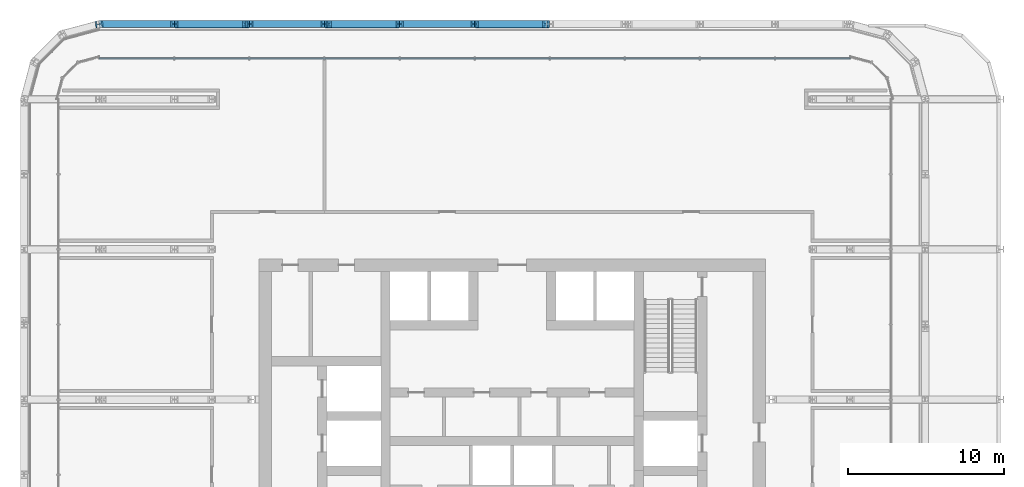
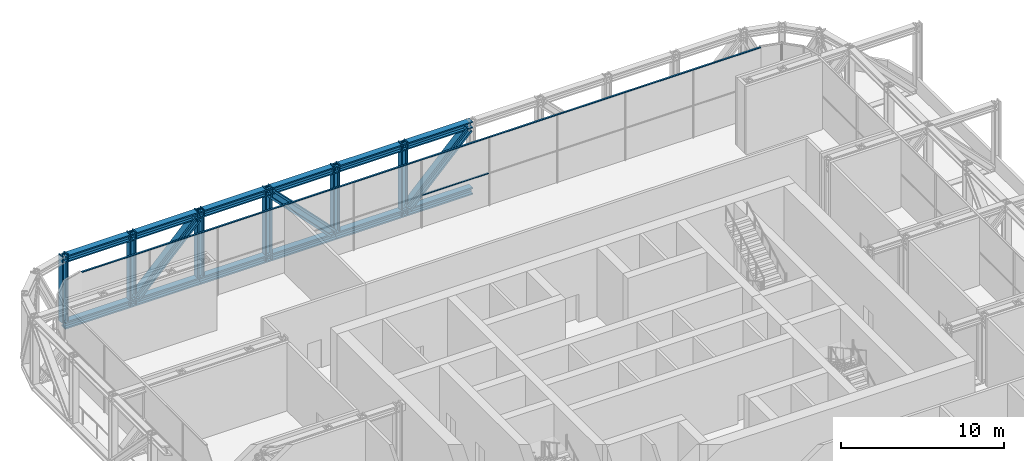
# One storey, part 12 of 25: 23 members, 1 element without a shape of its own.
"""IFC4 building model written with IfcOpenShell, lengths in metres."""

import ifcopenshell
import ifcopenshell.guid

model = None  # the IFC model being written
_history = None  # IfcOwnerHistory: only IFC2X3 demands one
_inside = {}  # id of a spatial element -> (the spatial element, [elements in it])
_under = {}  # id of a project, library or spatial element -> (it, [spatial elements below it])
_declared = {}  # id of a project -> (the project, [libraries it declares])
_typed = {}  # id of a type object -> (the type object, [elements of that type])
_made_of = {}  # id of a material, layer set ... -> (it, [elements and type objects made of it])


def new_model(schema):
    """Start an empty IFC model of exactly this schema.

    Asked for "IFC4X3", IfcOpenShell would pick the latest addendum, in which some entities
    have other attributes; the version numbers below select the first issue.
    IFC2X3 requires an IfcOwnerHistory on every rooted entity: one is made here for all.
    """
    global model, _history
    if schema == "IFC4X3":
        model = ifcopenshell.file(schema_version=(4, 3, 0, 0))
    else:
        model = ifcopenshell.file(schema=schema)
    _inside.clear()
    _under.clear()
    _declared.clear()
    _typed.clear()
    _made_of.clear()
    _history = None
    if model.schema == "IFC2X3":
        org = make("IfcOrganization", Name="unknown")
        user = make(
            "IfcPersonAndOrganization",
            ThePerson=make("IfcPerson", FamilyName="unknown"),
            TheOrganization=org,
        )
        app = make(
            "IfcApplication",
            ApplicationDeveloper=org,
            Version="unknown",
            ApplicationFullName="unknown",
            ApplicationIdentifier="unknown",
        )
        _history = make(
            "IfcOwnerHistory",
            OwningUser=user,
            OwningApplication=app,
            ChangeAction="ADDED",
            CreationDate=0,
        )
    return model


def make(cls, **values):
    """One entity of the class cls with the attributes given. An attribute that is None is left unset."""
    return model.create_entity(
        cls, **{name: value for name, value in values.items() if value is not None}
    )


def rooted(cls, **values):
    """An entity with a GlobalId (a new one), such as an element, a storey or a relation."""
    return make(cls, GlobalId=ifcopenshell.guid.new(), OwnerHistory=_history, **values)


def si_unit(unit_type, name, prefix=None):
    """IfcSIUnit, for example si_unit("LENGTHUNIT", "METRE", prefix="MILLI")."""
    return make("IfcSIUnit", UnitType=unit_type, Prefix=prefix, Name=name)


def assignment(units):
    """IfcUnitAssignment: the units of a project."""
    return None if units is None else make("IfcUnitAssignment", Units=units)


def point(xyz):
    """IfcCartesianPoint."""
    return None if xyz is None else make("IfcCartesianPoint", Coordinates=xyz)


def direction(xyz):
    """IfcDirection."""
    return None if xyz is None else make("IfcDirection", DirectionRatios=xyz)


def frame(location, z_axis=None, x_axis=None):
    """IfcAxis2Placement3D, a coordinate frame: its origin and axes. An axis left out is left unset."""
    return make(
        "IfcAxis2Placement3D",
        Location=point(location),
        Axis=direction(z_axis),
        RefDirection=direction(x_axis),
    )


def frame_2d(location, x_axis=None):
    """IfcAxis2Placement2D, a coordinate frame in the plane: its origin and x axis."""
    return make(
        "IfcAxis2Placement2D", Location=point(location), RefDirection=direction(x_axis)
    )


def origin():
    """The frame at (0, 0, 0) with its axes left unset."""
    return frame((0.0, 0.0, 0.0))


def origin_2d():
    """The frame at (0, 0) in the plane with its x axis left unset."""
    return frame_2d((0.0, 0.0))


def place(relative_to, where):
    """IfcLocalPlacement: puts the frame where relative to a parent placement (None: the world)."""
    return make(
        "IfcLocalPlacement", PlacementRelTo=relative_to, RelativePlacement=where
    )


def context(
    kind, dimensions, precision=None, world=None, true_north=None, identifier=None
):
    """IfcGeometricRepresentationContext, for example the 3D "Model" context."""
    return make(
        "IfcGeometricRepresentationContext",
        ContextIdentifier=identifier,
        ContextType=kind,
        CoordinateSpaceDimension=dimensions,
        Precision=precision,
        WorldCoordinateSystem=world,
        TrueNorth=true_north,
    )


def subcontext(parent, identifier, kind, view, scale=None):
    """IfcGeometricRepresentationSubContext, for example "Body" below "Model"."""
    return make(
        "IfcGeometricRepresentationSubContext",
        ContextIdentifier=identifier,
        ContextType=kind,
        ParentContext=parent,
        TargetScale=scale,
        TargetView=view,
    )


def project(units=None, contexts=None):
    """IfcProject with its units and contexts."""
    return rooted(
        "IfcProject",
        Name="project",
        RepresentationContexts=contexts,
        UnitsInContext=assignment(units),
    )


def spatial(cls, under=None, at=None, **own):
    """A site, building, storey or space (cls), placed at a placement, below another one or the project."""
    s = rooted(cls, ObjectPlacement=at, **own)
    if under is not None:
        _under.setdefault(under.id(), (under, []))[1].append(s)
    return s


def profile(cls, at=None, kind="AREA", **sizes):
    """A parametric profile (cls). Its sizes go by their IFC names, for example OverallWidth=200.0."""
    return make(cls, ProfileType=kind, Position=at, **sizes)


def rectangle(**sizes):
    """IfcRectangleProfileDef."""
    return profile("IfcRectangleProfileDef", **sizes)


def i_section(**sizes):
    """IfcIShapeProfileDef."""
    return profile("IfcIShapeProfileDef", **sizes)


def extrude(swept, where, along, depth):
    """IfcExtrudedAreaSolid: the profile swept, set in the frame where, extruded along a direction by depth."""
    return make(
        "IfcExtrudedAreaSolid",
        SweptArea=swept,
        Position=where,
        ExtrudedDirection=direction(along),
        Depth=depth,
    )


def shape(context_of_items, identifier, shape_type, items):
    """IfcShapeRepresentation: the items that make up one representation, for example the "Body"."""
    return make(
        "IfcShapeRepresentation",
        ContextOfItems=context_of_items,
        RepresentationIdentifier=identifier,
        RepresentationType=shape_type,
        Items=items,
    )


def material(Name=None, Category=None):
    """IfcMaterial."""
    return make("IfcMaterial", Name=Name, Category=Category)


def layer(
    of_material, thickness, ventilated=None, Name=None, Category=None, Priority=None
):
    """IfcMaterialLayer: one layer of a wall or slab, of a material (None: an air gap)."""
    return make(
        "IfcMaterialLayer",
        Material=of_material,
        LayerThickness=thickness,
        IsVentilated=ventilated,
        Name=Name,
        Category=Category,
        Priority=Priority,
    )


def layer_set(layers, Name=None):
    """IfcMaterialLayerSet."""
    return make("IfcMaterialLayerSet", MaterialLayers=layers, LayerSetName=Name)


def material_profile(
    of_material, cross_section, Name=None, Category=None, Priority=None
):
    """IfcMaterialProfile: a cross section and its material."""
    return make(
        "IfcMaterialProfile",
        Name=Name,
        Material=of_material,
        Profile=cross_section,
        Priority=Priority,
        Category=Category,
    )


def profile_set(profiles, Name=None, composite=None):
    """IfcMaterialProfileSet."""
    return make(
        "IfcMaterialProfileSet",
        Name=Name,
        MaterialProfiles=profiles,
        CompositeProfile=composite,
    )


def made_of(thing, what):
    """Note that an element or type object is made of a material, layer set ...; save() writes the relation."""
    if what is not None:
        _made_of.setdefault(what.id(), (what, []))[1].append(thing)
    return thing


def type_object(cls, material=None, **own):
    """A type object (cls), such as IfcWallType, which elements share."""
    return made_of(rooted(cls, **own), material)


def element(
    cls,
    number,
    at=None,
    inside=None,
    cuts=None,
    type_object=None,
    material=None,
    context=None,
    identifier="Body",
    shape_type=None,
    held_by="IfcProductDefinitionShape",
    body=None,
    shapes=None,
    **own,
):
    """One element of the class cls, such as IfcWall. Its Tag is "e" and its number.

    at: its placement. inside: the storey or other place that contains it. cuts: it is an
    opening in that element (IfcRelVoidsElement). A single representation is given by context,
    identifier, shape_type and body (its items); several are given by shapes. held_by: the class
    of the entity that holds the representations. save() writes the other relations.
    """
    e = rooted(cls, Tag="e%d" % number, ObjectPlacement=at, **own)
    if body is not None:
        shapes = [shape(context, identifier, shape_type, body)]
    if shapes is not None:
        e.Representation = make(held_by, Representations=shapes)
    if inside is not None:
        _inside.setdefault(inside.id(), (inside, []))[1].append(e)
    if cuts is not None:
        rooted(
            "IfcRelVoidsElement", RelatingBuildingElement=cuts, RelatedOpeningElement=e
        )
    if type_object is not None:
        _typed.setdefault(type_object.id(), (type_object, []))[1].append(e)
    return made_of(e, material)


def aggregate(whole, parts):
    """IfcRelAggregates: a whole, such as a stair, and the parts it consists of."""
    return rooted("IfcRelAggregates", RelatingObject=whole, RelatedObjects=parts)


def save(model, path):
    """Write the relations noted so far, then the file.

    IfcRelAggregates (storeys below a building ...), IfcRelContainedInSpatialStructure (elements
    in a storey), IfcRelDefinesByType, IfcRelAssociatesMaterial and IfcRelDeclares: one each for
    every whole, place, type object, material and project.
    """
    for whole, parts in _under.values():
        aggregate(whole, parts)
    for where, things in _inside.values():
        rooted(
            "IfcRelContainedInSpatialStructure",
            RelatedElements=things,
            RelatingStructure=where,
        )
    for kind, things in _typed.values():
        rooted("IfcRelDefinesByType", RelatedObjects=things, RelatingType=kind)
    for what, things in _made_of.values():
        rooted("IfcRelAssociatesMaterial", RelatedObjects=things, RelatingMaterial=what)
    for by, libraries in _declared.values():
        rooted("IfcRelDeclares", RelatingContext=by, RelatedDefinitions=libraries)
    model.write(path)


model = new_model("IFC4")

# Units and contexts
model_context = context("Model", 3, precision=1e-05, world=origin(), true_north=direction((0.0, 1.0)))
body_context = subcontext(model_context, "Body", "Model", "MODEL_VIEW")
ifc_project = project(units=[si_unit("LENGTHUNIT", "METRE"), si_unit("AREAUNIT", "SQUARE_METRE"), si_unit("VOLUMEUNIT", "CUBIC_METRE"), si_unit("PLANEANGLEUNIT", "RADIAN"), si_unit("MASSUNIT", "GRAM", prefix="KILO")], contexts=[model_context])

# Site, building, storey
site_placement = place(None, origin())
site = spatial("IfcSite", under=ifc_project, at=site_placement, CompositionType="ELEMENT")
building_placement = place(site_placement, origin())
building = spatial("IfcBuilding", under=site, at=building_placement, Name="Madar Terraces", CompositionType="ELEMENT")
storey_placement = place(building_placement, frame((0.0, 0.0, 113.699951171875)))
storey = spatial("IfcBuildingStorey", under=building, at=storey_placement, Name="L29", CompositionType="ELEMENT", Elevation=113.699951171875)

# Members
ifc_material_1 = material(Name="Steel ASTM A913 Grade 65", Category="steel")
ifc_material_profile_1 = material_profile(ifc_material_1, i_section(OverallWidth=0.44189453125, OverallDepth=0.53076171875, WebThickness=0.06591796875, FlangeThickness=0.105712890625, at=origin_2d()), Name="W14x605")
ifc_profile_set_1 = profile_set([ifc_material_profile_1], Name="Steel ASTM A913 Grade 65")
member_type_1 = type_object("IfcMemberType", Name="BC4 W14x605", PredefinedType="CHORD", material=ifc_profile_set_1)
for number, where, z_axis, x_axis, name in (
    (1, (33.60009765625, 52.800048828125, -0.154541015625), (-1.0, 0.0, 0.0), (0.0, -1.0, 0.0), "Exoskeleton truss ring bottom chord BC4"),
    (2, (28.800048828125, 52.800048828125, -0.154541015625), (-1.0, 0.0, 0.0), (0.0, -1.0, 0.0), "Exoskeleton truss ring bottom chord BC4"),
    (3, (24.0, 52.800048828125, -0.154541015625), (-1.0, 0.0, 0.0), (0.0, -1.0, 0.0), "Exoskeleton truss ring bottom chord BC4"),
    (4, (19.199951171875, 52.800048828125, -0.154541015625), (-1.0, 0.0, 0.0), (0.0, -1.0, 0.0), "Exoskeleton truss ring bottom chord BC4"),
):
    element("IfcMember", number, at=place(storey_placement, frame(where, z_axis=z_axis, x_axis=x_axis)), inside=storey, type_object=member_type_1, Name=name, PredefinedType="CHORD", context=body_context, shape_type="SweptSolid", body=[
        extrude(i_section(OverallWidth=0.44189453125, OverallDepth=0.53076171875, WebThickness=0.06591796875, FlangeThickness=0.105712890625, at=origin_2d()), origin(), (0.0, 0.0, 1.0), 4.800048828125),
    ])
member_1_placement = place(storey_placement, frame((14.39990234375, 52.800048828125, -0.154541015625), z_axis=(-1.0, 0.0, 0.0), x_axis=(0.0, -1.0, 0.0)))
element("IfcMember", 5, at=member_1_placement, inside=storey, type_object=member_type_1, Name="Exoskeleton truss ring bottom chord BC4", PredefinedType="CHORD", context=body_context, shape_type="SweptSolid", body=[
    extrude(i_section(OverallWidth=0.44189453125, OverallDepth=0.53076171875, WebThickness=0.06591796875, FlangeThickness=0.105712890625, at=origin_2d()), origin(), (0.0, 0.0, 1.0), 4.7998046875),
])
member_2_placement = place(storey_placement, frame((9.60009765625, 52.800048828125, -0.154541015625), z_axis=(-1.0, 0.0, 0.0), x_axis=(0.0, -1.0, 0.0)))
element("IfcMember", 6, at=member_2_placement, inside=storey, type_object=member_type_1, Name="Exoskeleton truss ring bottom chord BC4", PredefinedType="CHORD", context=body_context, shape_type="SweptSolid", body=[
    extrude(i_section(OverallWidth=0.44189453125, OverallDepth=0.53076171875, WebThickness=0.06591796875, FlangeThickness=0.105712890625, at=origin_2d()), origin(), (0.0, 0.0, 1.0), 4.800048828125),
])

# Curtain wall, members
ifc_material_2 = material(Name="Glass, ceramic frit dark grey, with black aluminium frame", Category="aluminium")
ifc_layer = layer(ifc_material_2, 0.199951171875)
ifc_layer_set = layer_set([ifc_layer], Name="Facade curtain wall, tall glazing")
curtain_wall_type = type_object("IfcCurtainWallType", Name="Facade curtain wall, tall glazing", PredefinedType="NOTDEFINED", material=ifc_layer_set)
curtain_wall_placement = place(storey_placement, origin())
curtain_wall = element("IfcCurtainWall", 7, at=curtain_wall_placement, inside=storey, type_object=curtain_wall_type, Name="Outer skin curtain wall north bay 1", PredefinedType="NOTDEFINED")
ifc_material_3 = material(Name="Aluminium, black anodised", Category="aluminium")
ifc_material_profile_2 = material_profile(ifc_material_3, rectangle(XDim=0.1201171875, YDim=0.06005859375, at=origin_2d()), Name="Facade transom 60x120")
ifc_profile_set_2 = profile_set([ifc_material_profile_2], Name="Aluminium, black anodised")
member_type_2 = type_object("IfcMemberType", Name="Facade transom 60x120", PredefinedType="USERDEFINED", material=ifc_profile_set_2)
member_3_placement = place(storey_placement, frame((52.800048828125, 50.60009765625, 5.070068359375), z_axis=(-1.0, 0.0, 0.0), x_axis=(0.0, -1.0, 0.0)))
member_3 = element("IfcMember", 8, at=member_3_placement, type_object=member_type_2, Name="Transom 1", ObjectType="TRANSOM", PredefinedType="USERDEFINED", context=body_context, shape_type="SweptSolid", body=[
    extrude(rectangle(XDim=0.1201171875, YDim=0.06005859375, at=origin_2d()), origin(), (0.0, 0.0, 1.0), 48.0),
])
member_4_placement = place(storey_placement, frame((33.570068359375, 50.60009765625, 2.400146484375), z_axis=(-1.0, 0.0, 0.0), x_axis=(0.0, -1.0, 0.0)))
member_4 = element("IfcMember", 9, at=member_4_placement, type_object=member_type_2, Name="Transom 6", ObjectType="TRANSOM", PredefinedType="USERDEFINED", context=body_context, shape_type="SweptSolid", body=[
    extrude(rectangle(XDim=0.1201171875, YDim=0.06005859375, at=origin_2d()), origin(), (0.0, 0.0, 1.0), 4.739990234375),
])
aggregate(curtain_wall, [member_3, member_4])

# Members
ifc_material_4 = material(Name="Steel ASTM A913 Grade 65", Category="steel")
ifc_material_profile_3 = material_profile(ifc_material_4, i_section(OverallWidth=0.431884765625, OverallDepth=0.497802734375, WebThickness=0.0556640625, FlangeThickness=0.0888671875, at=origin_2d()), Name="W14x500")
ifc_profile_set_3 = profile_set([ifc_material_profile_3], Name="Steel ASTM A913 Grade 65")
member_type_3 = type_object("IfcMemberType", Name="TC4 W14x500", PredefinedType="CHORD", material=ifc_profile_set_3)
for number, where, z_axis, x_axis, name in (
    (10, (33.60009765625, 52.800048828125, 4.78125), (-1.0, 0.0, 0.0), (0.0, -1.0, 0.0), "Exoskeleton truss ring top chord TC4"),
    (11, (28.800048828125, 52.800048828125, 4.78125), (-1.0, 0.0, 0.0), (0.0, -1.0, 0.0), "Exoskeleton truss ring top chord TC4"),
    (12, (24.0, 52.800048828125, 4.78125), (-1.0, 0.0, 0.0), (0.0, -1.0, 0.0), "Exoskeleton truss ring top chord TC4"),
    (13, (19.199951171875, 52.800048828125, 4.78125), (-1.0, 0.0, 0.0), (0.0, -1.0, 0.0), "Exoskeleton truss ring top chord TC4"),
):
    element("IfcMember", number, at=place(storey_placement, frame(where, z_axis=z_axis, x_axis=x_axis)), inside=storey, type_object=member_type_3, Name=name, PredefinedType="CHORD", context=body_context, shape_type="SweptSolid", body=[
        extrude(i_section(OverallWidth=0.431884765625, OverallDepth=0.497802734375, WebThickness=0.0556640625, FlangeThickness=0.0888671875, at=origin_2d()), origin(), (0.0, 0.0, 1.0), 4.800048828125),
    ])
member_5_placement = place(storey_placement, frame((14.39990234375, 52.800048828125, 4.78125), z_axis=(-1.0, 0.0, 0.0), x_axis=(0.0, -1.0, 0.0)))
element("IfcMember", 14, at=member_5_placement, inside=storey, type_object=member_type_3, Name="Exoskeleton truss ring top chord TC4", PredefinedType="CHORD", context=body_context, shape_type="SweptSolid", body=[
    extrude(i_section(OverallWidth=0.431884765625, OverallDepth=0.497802734375, WebThickness=0.0556640625, FlangeThickness=0.0888671875, at=origin_2d()), origin(), (0.0, 0.0, 1.0), 4.7998046875),
])
member_6_placement = place(storey_placement, frame((9.60009765625, 52.800048828125, 4.78125), z_axis=(-1.0, 0.0, 0.0), x_axis=(0.0, -1.0, 0.0)))
element("IfcMember", 15, at=member_6_placement, inside=storey, type_object=member_type_3, Name="Exoskeleton truss ring top chord TC4", PredefinedType="CHORD", context=body_context, shape_type="SweptSolid", body=[
    extrude(i_section(OverallWidth=0.431884765625, OverallDepth=0.497802734375, WebThickness=0.0556640625, FlangeThickness=0.0888671875, at=origin_2d()), origin(), (0.0, 0.0, 1.0), 4.800048828125),
])
ifc_material_5 = material(Name="Steel ASTM A913 Grade 65", Category="steel")
ifc_material_profile_4 = material_profile(ifc_material_5, i_section(OverallWidth=0.472412109375, OverallDepth=0.5791015625, WebThickness=0.094970703125, FlangeThickness=0.130126953125, at=origin_2d()), Name="W14x808")
ifc_profile_set_4 = profile_set([ifc_material_profile_4], Name="Steel ASTM A913 Grade 65")
member_type_4 = type_object("IfcMemberType", Name="TD4 W14x808", PredefinedType="BRACE", material=ifc_profile_set_4)
for number, where, z_axis, x_axis, name in (
    (16, (33.35791015625, 52.800048828125, 4.5322265625), (-0.697181267802, 0.0, -0.716894887571), (0.0, -1.0, 0.0), "Exoskeleton truss ring diagonal TD4"),
    (17, (23.741943359375, 52.800048828125, 0.11083984375), (-0.697181267802, 0.0, 0.716894887571), (0.0, -1.0, 0.0), "Exoskeleton truss ring diagonal TD4"),
    (18, (14.157958984375, 52.800048828125, 4.5322265625), (-0.697181267802, 0.0, -0.716894887571), (0.0, -1.0, 0.0), "Exoskeleton truss ring diagonal TD4"),
):
    element("IfcMember", number, at=place(storey_placement, frame(where, z_axis=z_axis, x_axis=x_axis)), inside=storey, type_object=member_type_4, Name=name, PredefinedType="BRACE", context=body_context, shape_type="SweptSolid", body=[
        extrude(i_section(OverallWidth=0.472412109375, OverallDepth=0.5791015625, WebThickness=0.094970703125, FlangeThickness=0.130126953125, at=origin_2d()), origin(), (0.0, 0.0, 1.0), 6.16748046875),
    ])
ifc_material_6 = material(Name="Steel ASTM A913 Grade 65", Category="steel")
ifc_material_profile_5 = material_profile(ifc_material_6, i_section(OverallWidth=0.424072265625, OverallDepth=0.47509765625, WebThickness=0.0478515625, FlangeThickness=0.0771484375, at=origin_2d()), Name="W14x426")
ifc_profile_set_5 = profile_set([ifc_material_profile_5], Name="Steel ASTM A913 Grade 65")
member_type_5 = type_object("IfcMemberType", Name="TV4 W14x426", PredefinedType="POST", material=ifc_profile_set_5)
member_7_placement = place(storey_placement, frame((28.800048828125, 52.800048828125, -0.419921875), z_axis=(0.0, 0.0, 1.0), x_axis=(0.0, -1.0, 0.0)))
element("IfcMember", 19, at=member_7_placement, inside=storey, type_object=member_type_5, Name="Exoskeleton truss ring post TV4", PredefinedType="POST", context=body_context, shape_type="SweptSolid", body=[
    extrude(i_section(OverallWidth=0.424072265625, OverallDepth=0.47509765625, WebThickness=0.0478515625, FlangeThickness=0.0771484375, at=origin_2d()), origin(), (0.0, 0.0, 1.0), 5.52001953125),
])
member_8_placement = place(storey_placement, frame((24.0, 52.800048828125, 0.11083984375), z_axis=(0.0, 0.0, 1.0), x_axis=(0.0, -1.0, 0.0)))
element("IfcMember", 20, at=member_8_placement, inside=storey, type_object=member_type_5, Name="Exoskeleton truss ring post TV4", PredefinedType="POST", context=body_context, shape_type="SweptSolid", body=[
    extrude(i_section(OverallWidth=0.424072265625, OverallDepth=0.47509765625, WebThickness=0.0478515625, FlangeThickness=0.0771484375, at=origin_2d()), origin(), (0.0, 0.0, 1.0), 4.9892578125),
])
member_9_placement = place(storey_placement, frame((19.199951171875, 52.800048828125, -0.419921875), z_axis=(0.0, 0.0, 1.0), x_axis=(0.0, -1.0, 0.0)))
element("IfcMember", 21, at=member_9_placement, inside=storey, type_object=member_type_5, Name="Exoskeleton truss ring post TV4", PredefinedType="POST", context=body_context, shape_type="SweptSolid", body=[
    extrude(i_section(OverallWidth=0.424072265625, OverallDepth=0.47509765625, WebThickness=0.0478515625, FlangeThickness=0.0771484375, at=origin_2d()), origin(), (0.0, 0.0, 1.0), 5.52001953125),
])
member_10_placement = place(storey_placement, frame((14.39990234375, 52.800048828125, 0.11083984375), z_axis=(0.0, 0.0, 1.0), x_axis=(0.0, -1.0, 0.0)))
element("IfcMember", 22, at=member_10_placement, inside=storey, type_object=member_type_5, Name="Exoskeleton truss ring post TV4", PredefinedType="POST", context=body_context, shape_type="SweptSolid", body=[
    extrude(i_section(OverallWidth=0.424072265625, OverallDepth=0.47509765625, WebThickness=0.0478515625, FlangeThickness=0.0771484375, at=origin_2d()), origin(), (0.0, 0.0, 1.0), 4.9892578125),
])
member_11_placement = place(storey_placement, frame((9.60009765625, 52.800048828125, -0.419921875), z_axis=(0.0, 0.0, 1.0), x_axis=(0.0, -1.0, 0.0)))
element("IfcMember", 23, at=member_11_placement, inside=storey, type_object=member_type_5, Name="Exoskeleton truss ring post TV4", PredefinedType="POST", context=body_context, shape_type="SweptSolid", body=[
    extrude(i_section(OverallWidth=0.424072265625, OverallDepth=0.47509765625, WebThickness=0.0478515625, FlangeThickness=0.0771484375, at=origin_2d()), origin(), (0.0, 0.0, 1.0), 5.52001953125),
])
member_12_placement = place(storey_placement, frame((4.800048828125, 52.800048828125, 0.11083984375), z_axis=(0.0, 0.0, 1.0), x_axis=(0.130526174916, -0.991444863652, 0.0)))
element("IfcMember", 24, at=member_12_placement, inside=storey, type_object=member_type_5, Name="Exoskeleton truss ring post TV4", PredefinedType="POST", context=body_context, shape_type="SweptSolid", body=[
    extrude(i_section(OverallWidth=0.424072265625, OverallDepth=0.47509765625, WebThickness=0.0478515625, FlangeThickness=0.0771484375, at=origin_2d()), origin(), (0.0, 0.0, 1.0), 4.9892578125),
])

save(model, "model.ifc")
